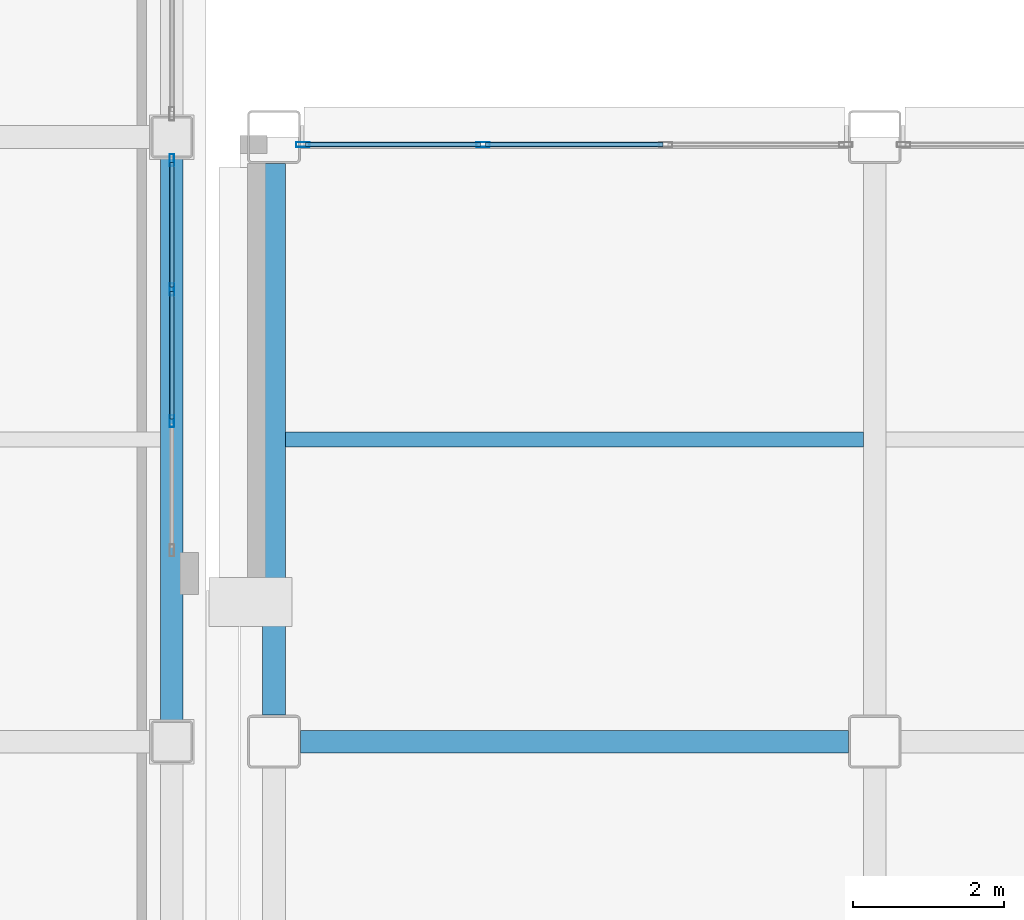
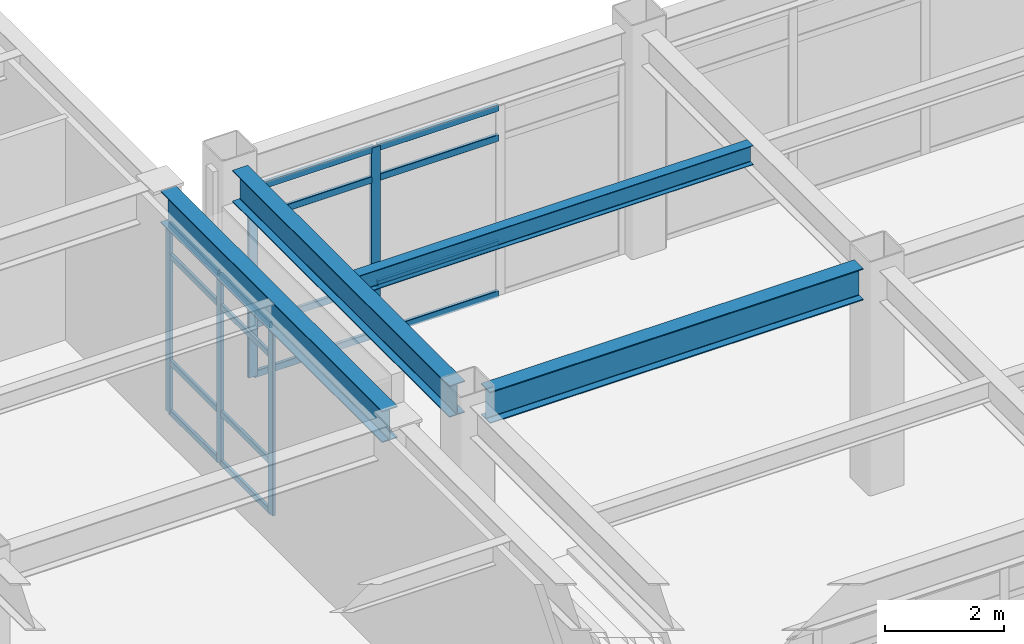
# One storey, part 46 of 154: 21 members, 4 beams, 2 elements without a shape of their own.
"""IFC4 building model written with IfcOpenShell, lengths in metres."""

from ifc_helpers import new_model, si_unit, direction, frame, origin, origin_2d, place, context, subcontext, project, spatial, hollow_rectangle, i_section, extrude, material, layer, layer_set, material_profile, profile_set, type_object, element, aggregate, save


model = new_model("IFC4")

# Units and contexts
model_context = context("Model", 3, precision=1e-05, world=origin(), true_north=direction((0.0, 1.0)))
body_context = subcontext(model_context, "Body", "Model", "MODEL_VIEW")
ifc_project = project(units=[si_unit("LENGTHUNIT", "METRE"), si_unit("AREAUNIT", "SQUARE_METRE"), si_unit("VOLUMEUNIT", "CUBIC_METRE"), si_unit("PLANEANGLEUNIT", "RADIAN"), si_unit("MASSUNIT", "GRAM", prefix="KILO")], contexts=[model_context])

# Site, building, storey
site_placement = place(None, origin())
site = spatial("IfcSite", under=ifc_project, at=site_placement, CompositionType="ELEMENT")
building_placement = place(site_placement, origin())
building = spatial("IfcBuilding", under=site, at=building_placement, Name="Kazehara Bluff Congress Hotel", CompositionType="ELEMENT")
storey_placement = place(building_placement, frame((0.0, 0.0, 10.199951171875)))
storey = spatial("IfcBuildingStorey", under=building, at=storey_placement, Name="L02", CompositionType="ELEMENT", Elevation=10.199951171875)

# Curtain wall, members
ifc_material_1 = material(Name="Anodised aluminium", Category="aluminium")
ifc_layer_1 = layer(ifc_material_1, 0.159912109375)
ifc_layer_set_1 = layer_set([ifc_layer_1], Name="Anodised aluminium")
curtain_wall_type_1 = type_object("IfcCurtainWallType", Name="TP-CW-57", PredefinedType="NOTDEFINED", material=ifc_layer_set_1)
curtain_wall_1_placement = place(storey_placement, origin())
curtain_wall_1 = element("IfcCurtainWall", 1, at=curtain_wall_1_placement, inside=storey, type_object=curtain_wall_type_1, Name="L02 curtain wall CW-57 CW-V4-L02-X10920-2650", PredefinedType="NOTDEFINED")
ifc_material_2 = material(Name="Anodised aluminium", Category="aluminium")
ifc_material_profile_1 = material_profile(ifc_material_2, hollow_rectangle(XDim=0.06005859375, YDim=0.159912109375, WallThickness=0.00390625, InnerFilletRadius=0.00390625, OuterFilletRadius=0.008056640625, at=origin_2d()))
ifc_profile_set_1 = profile_set([ifc_material_profile_1], Name="Anodised aluminium")
member_type_1 = type_object("IfcMemberType", Name="TP-CWM-01", PredefinedType="MULLION", material=ifc_profile_set_1)
member_1_placement = place(storey_placement, frame((109.199951171875, 28.24169921875, 0.0), z_axis=(0.0, 0.0, 1.0), x_axis=(-1.0, 0.0, 0.0)))
member_1 = element("IfcMember", 2, at=member_1_placement, type_object=member_type_1, Name="CW-57 mullion 2", PredefinedType="MULLION", context=body_context, shape_type="SweptSolid", body=[
    extrude(hollow_rectangle(XDim=0.06005859375, YDim=0.159912109375, WallThickness=0.00390625, InnerFilletRadius=0.00390625, OuterFilletRadius=0.008056640625, at=origin_2d()), origin(), (0.0, 0.0, 1.0), 3.885009765625),
])
member_2_placement = place(storey_placement, frame((109.199951171875, 29.9833984375, 0.0), z_axis=(0.0, 0.0, 1.0), x_axis=(-1.0, 0.0, 0.0)))
member_2 = element("IfcMember", 3, at=member_2_placement, type_object=member_type_1, Name="CW-57 mullion 3", PredefinedType="MULLION", context=body_context, shape_type="SweptSolid", body=[
    extrude(hollow_rectangle(XDim=0.06005859375, YDim=0.159912109375, WallThickness=0.00390625, InnerFilletRadius=0.00390625, OuterFilletRadius=0.008056640625, at=origin_2d()), origin(), (0.0, 0.0, 1.0), 3.885009765625),
])
member_3_placement = place(storey_placement, frame((109.199951171875, 31.695068359375, 0.0), z_axis=(0.0, 0.0, 1.0), x_axis=(-1.0, 0.0, 0.0)))
member_3 = element("IfcMember", 4, at=member_3_placement, type_object=member_type_1, Name="CW-57 mullion 4", PredefinedType="MULLION", context=body_context, shape_type="SweptSolid", body=[
    extrude(hollow_rectangle(XDim=0.06005859375, YDim=0.159912109375, WallThickness=0.00390625, InnerFilletRadius=0.00390625, OuterFilletRadius=0.008056640625, at=origin_2d()), origin(), (0.0, 0.0, 1.0), 3.885009765625),
])

ifc_material_3 = material(Name="Anodised aluminium", Category="aluminium")
ifc_layer_2 = layer(ifc_material_3, 0.159912109375)
ifc_layer_set_2 = layer_set([ifc_layer_2], Name="Anodised aluminium")
curtain_wall_type_2 = type_object("IfcCurtainWallType", Name="TP-CW-78", PredefinedType="NOTDEFINED", material=ifc_layer_set_2)
curtain_wall_2_placement = place(storey_placement, origin())
curtain_wall_2 = element("IfcCurtainWall", 5, at=curtain_wall_2_placement, inside=storey, type_object=curtain_wall_type_2, Name="L02 curtain wall CW-78 CW-ENC-V5-L02-11452-3190", PredefinedType="NOTDEFINED")
ifc_material_4 = material(Name="Anodised aluminium", Category="aluminium")
ifc_material_profile_2 = material_profile(ifc_material_4, hollow_rectangle(XDim=0.06494140625, YDim=0.179931640625, WallThickness=0.00390625, InnerFilletRadius=0.00390625, OuterFilletRadius=0.008056640625, at=origin_2d()))
ifc_profile_set_2 = profile_set([ifc_material_profile_2], Name="Anodised aluminium")
member_type_2 = type_object("IfcMemberType", Name="TP-CWM-02", PredefinedType="MULLION", material=ifc_profile_set_2)
member_4_placement = place(storey_placement, frame((110.9326171875, 31.89990234375, 0.0), z_axis=(0.0, 0.0, 1.0), x_axis=(0.0, 1.0, 0.0)))
member_4 = element("IfcMember", 6, at=member_4_placement, type_object=member_type_2, Name="CW-78 mullion 1", PredefinedType="MULLION", context=body_context, shape_type="SweptSolid", body=[
    extrude(hollow_rectangle(XDim=0.06494140625, YDim=0.179931640625, WallThickness=0.00390625, InnerFilletRadius=0.00390625, OuterFilletRadius=0.008056640625, at=origin_2d()), origin(), (0.0, 0.0, 1.0), 3.885009765625),
])
member_5_placement = place(storey_placement, frame((113.316650390625, 31.89990234375, 0.0), z_axis=(0.0, 0.0, 1.0), x_axis=(0.0, 1.0, 0.0)))
member_5 = element("IfcMember", 7, at=member_5_placement, type_object=member_type_2, Name="CW-78 mullion 2", PredefinedType="MULLION", context=body_context, shape_type="SweptSolid", body=[
    extrude(hollow_rectangle(XDim=0.06494140625, YDim=0.179931640625, WallThickness=0.00390625, InnerFilletRadius=0.00390625, OuterFilletRadius=0.008056640625, at=origin_2d()), origin(), (0.0, 0.0, 1.0), 3.885009765625),
])

# Member
ifc_material_5 = material(Name="Anodised aluminium", Category="aluminium")
ifc_material_profile_3 = material_profile(ifc_material_5, hollow_rectangle(XDim=0.06005859375, YDim=0.1201171875, WallThickness=0.00390625, InnerFilletRadius=0.00390625, OuterFilletRadius=0.008056640625, at=origin_2d()))
ifc_profile_set_3 = profile_set([ifc_material_profile_3], Name="Anodised aluminium")
member_type_3 = type_object("IfcMemberType", Name="TP-CWT-01", PredefinedType="USERDEFINED", material=ifc_profile_set_3)
member_6_placement = place(storey_placement, frame((109.199951171875, 28.271728515625, 0.030029296875), z_axis=(0.0, 1.0, 0.0), x_axis=(-1.0, 0.0, 0.0)))
member_6 = element("IfcMember", 8, at=member_6_placement, type_object=member_type_3, Name="CW-57 transom 2.1", ObjectType="TRANSOM", PredefinedType="USERDEFINED", context=body_context, shape_type="SweptSolid", body=[
    extrude(hollow_rectangle(XDim=0.06005859375, YDim=0.1201171875, WallThickness=0.00390625, InnerFilletRadius=0.00390625, OuterFilletRadius=0.008056640625, at=origin_2d()), origin(), (0.0, 0.0, 1.0), 1.681640625),
])

member_7_placement = place(storey_placement, frame((109.199951171875, 28.271728515625, 1.050048828125), z_axis=(0.0, 1.0, 0.0), x_axis=(-1.0, 0.0, 0.0)))
member_7 = element("IfcMember", 9, at=member_7_placement, type_object=member_type_3, Name="CW-57 transom 2.2", ObjectType="TRANSOM", PredefinedType="USERDEFINED", context=body_context, shape_type="SweptSolid", body=[
    extrude(hollow_rectangle(XDim=0.06005859375, YDim=0.1201171875, WallThickness=0.00390625, InnerFilletRadius=0.00390625, OuterFilletRadius=0.008056640625, at=origin_2d()), origin(), (0.0, 0.0, 1.0), 1.681640625),
])

member_8_placement = place(storey_placement, frame((109.199951171875, 28.271728515625, 3.235107421875), z_axis=(0.0, 1.0, 0.0), x_axis=(-1.0, 0.0, 0.0)))
member_8 = element("IfcMember", 10, at=member_8_placement, type_object=member_type_3, Name="CW-57 transom 2.3", ObjectType="TRANSOM", PredefinedType="USERDEFINED", context=body_context, shape_type="SweptSolid", body=[
    extrude(hollow_rectangle(XDim=0.06005859375, YDim=0.1201171875, WallThickness=0.00390625, InnerFilletRadius=0.00390625, OuterFilletRadius=0.008056640625, at=origin_2d()), origin(), (0.0, 0.0, 1.0), 1.681640625),
])

member_9_placement = place(storey_placement, frame((109.199951171875, 28.271728515625, 3.85498046875), z_axis=(0.0, 1.0, 0.0), x_axis=(-1.0, 0.0, 0.0)))
member_9 = element("IfcMember", 11, at=member_9_placement, type_object=member_type_3, Name="CW-57 transom 2.4", ObjectType="TRANSOM", PredefinedType="USERDEFINED", context=body_context, shape_type="SweptSolid", body=[
    extrude(hollow_rectangle(XDim=0.06005859375, YDim=0.1201171875, WallThickness=0.00390625, InnerFilletRadius=0.00390625, OuterFilletRadius=0.008056640625, at=origin_2d()), origin(), (0.0, 0.0, 1.0), 1.681640625),
])

member_10_placement = place(storey_placement, frame((109.199951171875, 30.013427734375, 0.030029296875), z_axis=(0.0, 1.0, 0.0), x_axis=(-1.0, 0.0, 0.0)))
member_10 = element("IfcMember", 12, at=member_10_placement, type_object=member_type_3, Name="CW-57 transom 3.1", ObjectType="TRANSOM", PredefinedType="USERDEFINED", context=body_context, shape_type="SweptSolid", body=[
    extrude(hollow_rectangle(XDim=0.06005859375, YDim=0.1201171875, WallThickness=0.00390625, InnerFilletRadius=0.00390625, OuterFilletRadius=0.008056640625, at=origin_2d()), origin(), (0.0, 0.0, 1.0), 1.651611328125),
])

member_11_placement = place(storey_placement, frame((109.199951171875, 30.013427734375, 1.050048828125), z_axis=(0.0, 1.0, 0.0), x_axis=(-1.0, 0.0, 0.0)))
member_11 = element("IfcMember", 13, at=member_11_placement, type_object=member_type_3, Name="CW-57 transom 3.2", ObjectType="TRANSOM", PredefinedType="USERDEFINED", context=body_context, shape_type="SweptSolid", body=[
    extrude(hollow_rectangle(XDim=0.06005859375, YDim=0.1201171875, WallThickness=0.00390625, InnerFilletRadius=0.00390625, OuterFilletRadius=0.008056640625, at=origin_2d()), origin(), (0.0, 0.0, 1.0), 1.651611328125),
])

member_12_placement = place(storey_placement, frame((109.199951171875, 30.013427734375, 3.235107421875), z_axis=(0.0, 1.0, 0.0), x_axis=(-1.0, 0.0, 0.0)))
member_12 = element("IfcMember", 14, at=member_12_placement, type_object=member_type_3, Name="CW-57 transom 3.3", ObjectType="TRANSOM", PredefinedType="USERDEFINED", context=body_context, shape_type="SweptSolid", body=[
    extrude(hollow_rectangle(XDim=0.06005859375, YDim=0.1201171875, WallThickness=0.00390625, InnerFilletRadius=0.00390625, OuterFilletRadius=0.008056640625, at=origin_2d()), origin(), (0.0, 0.0, 1.0), 1.651611328125),
])

member_13_placement = place(storey_placement, frame((109.199951171875, 30.013427734375, 3.85498046875), z_axis=(0.0, 1.0, 0.0), x_axis=(-1.0, 0.0, 0.0)))
member_13 = element("IfcMember", 15, at=member_13_placement, type_object=member_type_3, Name="CW-57 transom 3.4", ObjectType="TRANSOM", PredefinedType="USERDEFINED", context=body_context, shape_type="SweptSolid", body=[
    extrude(hollow_rectangle(XDim=0.06005859375, YDim=0.1201171875, WallThickness=0.00390625, InnerFilletRadius=0.00390625, OuterFilletRadius=0.008056640625, at=origin_2d()), origin(), (0.0, 0.0, 1.0), 1.651611328125),
])

aggregate(curtain_wall_1, [member_1, member_2, member_3, member_6, member_7, member_8, member_9, member_10, member_11, member_12, member_13])

ifc_material_6 = material(Name="Anodised aluminium", Category="aluminium")
ifc_material_profile_4 = material_profile(ifc_material_6, hollow_rectangle(XDim=0.06494140625, YDim=0.139892578125, WallThickness=0.00390625, InnerFilletRadius=0.00390625, OuterFilletRadius=0.008056640625, at=origin_2d()))
ifc_profile_set_4 = profile_set([ifc_material_profile_4], Name="Anodised aluminium")
member_type_4 = type_object("IfcMemberType", Name="TP-CWT-02", PredefinedType="USERDEFINED", material=ifc_profile_set_4)
member_14_placement = place(storey_placement, frame((110.965087890625, 31.89990234375, 0.032470703125), z_axis=(1.0, 0.0, 0.0), x_axis=(0.0, 1.0, 0.0)))
member_14 = element("IfcMember", 16, at=member_14_placement, type_object=member_type_4, Name="CW-78 transom 1.1", ObjectType="TRANSOM", PredefinedType="USERDEFINED", context=body_context, shape_type="SweptSolid", body=[
    extrude(hollow_rectangle(XDim=0.06494140625, YDim=0.139892578125, WallThickness=0.00390625, InnerFilletRadius=0.00390625, OuterFilletRadius=0.008056640625, at=origin_2d()), origin(), (0.0, 0.0, 1.0), 2.319091796875),
])

member_15_placement = place(storey_placement, frame((110.965087890625, 31.89990234375, 1.050048828125), z_axis=(1.0, 0.0, 0.0), x_axis=(0.0, 1.0, 0.0)))
member_15 = element("IfcMember", 17, at=member_15_placement, type_object=member_type_4, Name="CW-78 transom 1.2", ObjectType="TRANSOM", PredefinedType="USERDEFINED", context=body_context, shape_type="SweptSolid", body=[
    extrude(hollow_rectangle(XDim=0.06494140625, YDim=0.139892578125, WallThickness=0.00390625, InnerFilletRadius=0.00390625, OuterFilletRadius=0.008056640625, at=origin_2d()), origin(), (0.0, 0.0, 1.0), 2.319091796875),
])

member_16_placement = place(storey_placement, frame((110.965087890625, 31.89990234375, 3.235107421875), z_axis=(1.0, 0.0, 0.0), x_axis=(0.0, 1.0, 0.0)))
member_16 = element("IfcMember", 18, at=member_16_placement, type_object=member_type_4, Name="CW-78 transom 1.3", ObjectType="TRANSOM", PredefinedType="USERDEFINED", context=body_context, shape_type="SweptSolid", body=[
    extrude(hollow_rectangle(XDim=0.06494140625, YDim=0.139892578125, WallThickness=0.00390625, InnerFilletRadius=0.00390625, OuterFilletRadius=0.008056640625, at=origin_2d()), origin(), (0.0, 0.0, 1.0), 2.319091796875),
])

member_17_placement = place(storey_placement, frame((110.965087890625, 31.89990234375, 3.8525390625), z_axis=(1.0, 0.0, 0.0), x_axis=(0.0, 1.0, 0.0)))
member_17 = element("IfcMember", 19, at=member_17_placement, type_object=member_type_4, Name="CW-78 transom 1.4", ObjectType="TRANSOM", PredefinedType="USERDEFINED", context=body_context, shape_type="SweptSolid", body=[
    extrude(hollow_rectangle(XDim=0.06494140625, YDim=0.139892578125, WallThickness=0.00390625, InnerFilletRadius=0.00390625, OuterFilletRadius=0.008056640625, at=origin_2d()), origin(), (0.0, 0.0, 1.0), 2.319091796875),
])

member_18_placement = place(storey_placement, frame((113.34912109375, 31.89990234375, 0.032470703125), z_axis=(1.0, 0.0, 0.0), x_axis=(0.0, 1.0, 0.0)))
member_18 = element("IfcMember", 20, at=member_18_placement, type_object=member_type_4, Name="CW-78 transom 2.1", ObjectType="TRANSOM", PredefinedType="USERDEFINED", context=body_context, shape_type="SweptSolid", body=[
    extrude(hollow_rectangle(XDim=0.06494140625, YDim=0.139892578125, WallThickness=0.00390625, InnerFilletRadius=0.00390625, OuterFilletRadius=0.008056640625, at=origin_2d()), origin(), (0.0, 0.0, 1.0), 2.351806640625),
])

member_19_placement = place(storey_placement, frame((113.34912109375, 31.89990234375, 1.050048828125), z_axis=(1.0, 0.0, 0.0), x_axis=(0.0, 1.0, 0.0)))
member_19 = element("IfcMember", 21, at=member_19_placement, type_object=member_type_4, Name="CW-78 transom 2.2", ObjectType="TRANSOM", PredefinedType="USERDEFINED", context=body_context, shape_type="SweptSolid", body=[
    extrude(hollow_rectangle(XDim=0.06494140625, YDim=0.139892578125, WallThickness=0.00390625, InnerFilletRadius=0.00390625, OuterFilletRadius=0.008056640625, at=origin_2d()), origin(), (0.0, 0.0, 1.0), 2.351806640625),
])

member_20_placement = place(storey_placement, frame((113.34912109375, 31.89990234375, 3.235107421875), z_axis=(1.0, 0.0, 0.0), x_axis=(0.0, 1.0, 0.0)))
member_20 = element("IfcMember", 22, at=member_20_placement, type_object=member_type_4, Name="CW-78 transom 2.3", ObjectType="TRANSOM", PredefinedType="USERDEFINED", context=body_context, shape_type="SweptSolid", body=[
    extrude(hollow_rectangle(XDim=0.06494140625, YDim=0.139892578125, WallThickness=0.00390625, InnerFilletRadius=0.00390625, OuterFilletRadius=0.008056640625, at=origin_2d()), origin(), (0.0, 0.0, 1.0), 2.351806640625),
])

member_21_placement = place(storey_placement, frame((113.34912109375, 31.89990234375, 3.8525390625), z_axis=(1.0, 0.0, 0.0), x_axis=(0.0, 1.0, 0.0)))
member_21 = element("IfcMember", 23, at=member_21_placement, type_object=member_type_4, Name="CW-78 transom 2.4", ObjectType="TRANSOM", PredefinedType="USERDEFINED", context=body_context, shape_type="SweptSolid", body=[
    extrude(hollow_rectangle(XDim=0.06494140625, YDim=0.139892578125, WallThickness=0.00390625, InnerFilletRadius=0.00390625, OuterFilletRadius=0.008056640625, at=origin_2d()), origin(), (0.0, 0.0, 1.0), 2.351806640625),
])

aggregate(curtain_wall_2, [member_4, member_5, member_14, member_15, member_16, member_17, member_18, member_19, member_20, member_21])

# Beams
ifc_material_7 = material(Name="Steel SN490B", Category="steel")
ifc_material_profile_5 = material_profile(ifc_material_7, i_section(OverallWidth=0.300048828125, OverallDepth=0.64990234375, WebThickness=0.011962890625, FlangeThickness=0.02001953125, FilletRadius=0.012939453125, at=origin_2d()))
ifc_profile_set_5 = profile_set([ifc_material_profile_5], Name="Steel SN490B")
beam_type_1 = type_object("IfcBeamType", Name="TP-G-03", PredefinedType="BEAM", material=ifc_profile_set_5)
beam_1_placement = place(storey_placement, frame((109.199951171875, 24.27490234375, 4.235107421875), z_axis=(0.0, 1.0, 0.0), x_axis=(-1.0, 0.0, 0.0)))
element("IfcBeam", 24, at=beam_1_placement, inside=storey, type_object=beam_type_1, Name="L02 girder G-03 90", PredefinedType="BEAM", context=body_context, shape_type="SweptSolid", body=[
    extrude(i_section(OverallWidth=0.300048828125, OverallDepth=0.64990234375, WebThickness=0.011962890625, FlangeThickness=0.02001953125, FilletRadius=0.012939453125, at=origin_2d()), origin(), (0.0, 0.0, 1.0), 7.4501953125),
])
beam_2_placement = place(storey_placement, frame((110.550048828125, 24.35009765625, 4.235107421875), z_axis=(0.0, 1.0, 0.0), x_axis=(-1.0, 0.0, 0.0)))
element("IfcBeam", 25, at=beam_2_placement, inside=storey, type_object=beam_type_1, Name="L02 girder G-03 131", PredefinedType="BEAM", context=body_context, shape_type="SweptSolid", body=[
    extrude(i_section(OverallWidth=0.300048828125, OverallDepth=0.64990234375, WebThickness=0.011962890625, FlangeThickness=0.02001953125, FilletRadius=0.012939453125, at=origin_2d()), origin(), (0.0, 0.0, 1.0), 7.2998046875),
])
beam_3_placement = place(storey_placement, frame((110.89990234375, 24.0, 4.235107421875), z_axis=(1.0, 0.0, 0.0), x_axis=(0.0, 1.0, 0.0)))
element("IfcBeam", 26, at=beam_3_placement, inside=storey, type_object=beam_type_1, Name="L02 girder G-03 193", PredefinedType="BEAM", context=body_context, shape_type="SweptSolid", body=[
    extrude(i_section(OverallWidth=0.300048828125, OverallDepth=0.64990234375, WebThickness=0.011962890625, FlangeThickness=0.02001953125, FilletRadius=0.012939453125, at=origin_2d()), origin(), (0.0, 0.0, 1.0), 7.25),
])
ifc_material_8 = material(Name="Steel SN400B", Category="steel")
ifc_material_profile_6 = material_profile(ifc_material_8, i_section(OverallWidth=0.199951171875, OverallDepth=0.39990234375, WebThickness=0.008056640625, FlangeThickness=0.012939453125, FilletRadius=0.012939453125, at=origin_2d()))
ifc_profile_set_6 = profile_set([ifc_material_profile_6], Name="Steel SN400B")
beam_type_2 = type_object("IfcBeamType", Name="TP-J-03", PredefinedType="JOIST", material=ifc_profile_set_6)
beam_4_placement = place(storey_placement, frame((110.699951171875, 28.0, 4.360107421875), z_axis=(1.0, 0.0, 0.0), x_axis=(0.0, 1.0, 0.0)))
element("IfcBeam", 27, at=beam_4_placement, inside=storey, type_object=beam_type_2, Name="L02 secondary joist J-03 28", PredefinedType="JOIST", context=body_context, shape_type="SweptSolid", body=[
    extrude(i_section(OverallWidth=0.199951171875, OverallDepth=0.39990234375, WebThickness=0.008056640625, FlangeThickness=0.012939453125, FilletRadius=0.012939453125, at=origin_2d()), origin(), (0.0, 0.0, 1.0), 7.650146484375),
])

save(model, "model.ifc")
